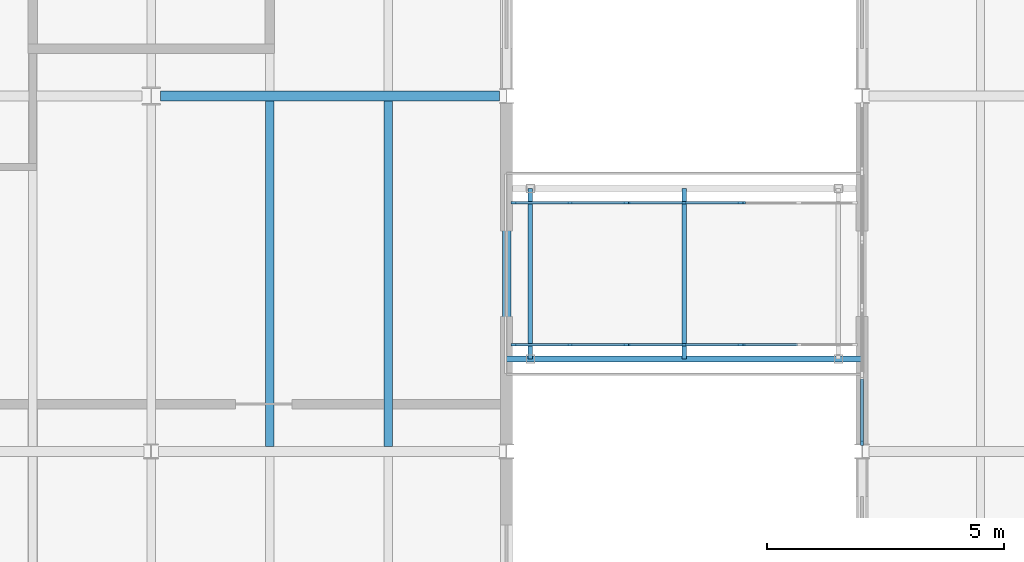
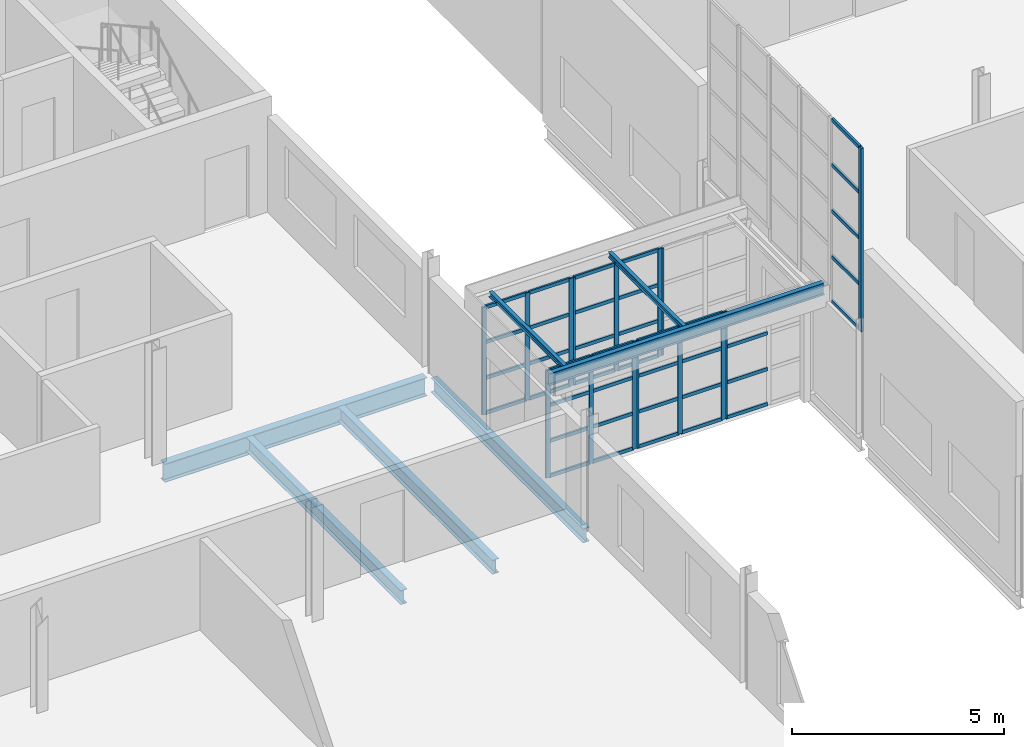
# One storey, part 33 of 198: 57 members, 5 beams, 7 elements without a shape of their own.
"""IFC4 building model written with IfcOpenShell, lengths in metres."""

from ifc_helpers import new_model, si_unit, direction, frame, origin, origin_2d, place, context, subcontext, project, spatial, rectangle, i_section, extrude, material, material_profile, profile_set, type_object, element, aggregate, save


model = new_model("IFC4")

# Units and contexts
model_context = context("Model", 3, precision=1e-05, world=origin(), true_north=direction((0.0, 1.0)))
body_context = subcontext(model_context, "Body", "Model", "MODEL_VIEW")
ifc_project = project(units=[si_unit("LENGTHUNIT", "METRE"), si_unit("AREAUNIT", "SQUARE_METRE"), si_unit("VOLUMEUNIT", "CUBIC_METRE"), si_unit("PLANEANGLEUNIT", "RADIAN"), si_unit("MASSUNIT", "GRAM", prefix="KILO")], contexts=[model_context])

# Site, building, storey
site_placement = place(None, origin())
site = spatial("IfcSite", under=ifc_project, at=site_placement, CompositionType="ELEMENT")
building_placement = place(site_placement, origin())
building = spatial("IfcBuilding", under=site, at=building_placement, Name="Parallax Yard Mobility Hub", CompositionType="ELEMENT")
storey_placement = place(building_placement, frame((0.0, 0.0, 6.60009765625)))
storey = spatial("IfcBuildingStorey", under=building, at=storey_placement, Name="L02", CompositionType="ELEMENT", Elevation=6.60009765625)

# Members
ifc_material_1 = material(Name="Steel ASTM A992", Category="steel")
ifc_material_profile_1 = material_profile(ifc_material_1, i_section(OverallWidth=0.10205078125, OverallDepth=0.153076171875, WebThickness=0.005859375, FlangeThickness=0.007080078125, at=origin_2d()), Name="W150x18")
ifc_profile_set_1 = profile_set([ifc_material_profile_1], Name="Steel ASTM A992")
member_type_1 = type_object("IfcMemberType", Name="Bridge cross rafter W150x18", PredefinedType="RAFTER", material=ifc_profile_set_1)
for number, where, z_axis, x_axis, name in (
    (1, (143.0, 31.952880859375, 3.17236328125), (0.0, 1.0, 0.0), (-1.0, 0.0, 0.0), "Bridge BR3 level L02 cross rafter 1"),
    (2, (146.25, 31.952880859375, 3.17236328125), (0.0, 1.0, 0.0), (-1.0, 0.0, 0.0), "Bridge BR3 level L02 cross rafter 2"),
):
    element("IfcMember", number, at=place(storey_placement, frame(where, z_axis=z_axis, x_axis=x_axis)), inside=storey, type_object=member_type_1, Name=name, PredefinedType="RAFTER", context=body_context, shape_type="SweptSolid", body=[
        extrude(i_section(OverallWidth=0.10205078125, OverallDepth=0.153076171875, WebThickness=0.005859375, FlangeThickness=0.007080078125, at=origin_2d()), origin(), (0.0, 0.0, 1.0), 3.59423828125),
    ])

# Beam
ifc_material_profile_2 = material_profile(ifc_material_1, i_section(OverallWidth=0.126953125, OverallDepth=0.34912109375, WebThickness=0.005859375, FlangeThickness=0.008544921875, at=origin_2d()), Name="W360x33")
ifc_profile_set_2 = profile_set([ifc_material_profile_2], Name="Steel ASTM A992")
beam_type_1 = type_object("IfcBeamType", Name="Bridge roof beam W360x33", PredefinedType="BEAM", material=ifc_profile_set_2)
beam_1_placement = place(storey_placement, frame((142.5, 31.949951171875, 3.074462890625), z_axis=(1.0, 0.0, 0.0), x_axis=(0.0, 1.0, 0.0)))
element("IfcBeam", 3, at=beam_1_placement, inside=storey, type_object=beam_type_1, Name="Bridge BR3 level L02 roof beam at y 31.95", PredefinedType="BEAM", context=body_context, shape_type="SweptSolid", body=[
    extrude(i_section(OverallWidth=0.126953125, OverallDepth=0.34912109375, WebThickness=0.005859375, FlangeThickness=0.008544921875, at=origin_2d()), origin(), (0.0, 0.0, 1.0), 7.5),
])

# Curtain wall, members
ifc_material_2 = material(Name="Thermally broken aluminium curtain wall system", Category="aluminium")
curtain_wall_type_1 = type_object("IfcCurtainWallType", Name="Bridge curtain wall run 50 x 120 frame", PredefinedType="NOTDEFINED", material=ifc_material_2)
curtain_wall_1_placement = place(storey_placement, origin())
curtain_wall_1 = element("IfcCurtainWall", 4, at=curtain_wall_1_placement, inside=storey, type_object=curtain_wall_type_1, Name="Curtain wall run bridge BR3 south side level L02", PredefinedType="NOTDEFINED")
ifc_material_3 = material(Name="Extruded aluminium", Category="aluminium")
ifc_material_profile_3 = material_profile(ifc_material_3, rectangle(XDim=0.050048828125, YDim=0.1201171875, at=origin_2d()), Name="Mullion 50 x 120")
ifc_profile_set_3 = profile_set([ifc_material_profile_3], Name="Extruded aluminium")
member_type_2 = type_object("IfcMemberType", Name="Mullion 50 x 120", PredefinedType="MULLION", material=ifc_profile_set_3)
member_1_placement = place(storey_placement, frame((142.64990234375, 32.25, 0.0), z_axis=(0.0, 0.0, 1.0), x_axis=(0.0, 1.0, 0.0)))
member_1 = element("IfcMember", 5, at=member_1_placement, type_object=member_type_2, Name="CW2 mullion 1", PredefinedType="MULLION", context=body_context, shape_type="SweptSolid", body=[
    extrude(rectangle(XDim=0.050048828125, YDim=0.1201171875, at=origin_2d()), origin(), (0.0, 0.0, 1.0), 3.095947265625),
])
member_2_placement = place(storey_placement, frame((143.833251953125, 32.25, 0.0), z_axis=(0.0, 0.0, 1.0), x_axis=(0.0, 1.0, 0.0)))
member_2 = element("IfcMember", 6, at=member_2_placement, type_object=member_type_2, Name="CW2 mullion 2", PredefinedType="MULLION", context=body_context, shape_type="SweptSolid", body=[
    extrude(rectangle(XDim=0.050048828125, YDim=0.1201171875, at=origin_2d()), origin(), (0.0, 0.0, 1.0), 3.095947265625),
])
member_3_placement = place(storey_placement, frame((145.0166015625, 32.25, 0.0), z_axis=(0.0, 0.0, 1.0), x_axis=(0.0, 1.0, 0.0)))
member_3 = element("IfcMember", 7, at=member_3_placement, type_object=member_type_2, Name="CW2 mullion 3", PredefinedType="MULLION", context=body_context, shape_type="SweptSolid", body=[
    extrude(rectangle(XDim=0.050048828125, YDim=0.1201171875, at=origin_2d()), origin(), (0.0, 0.0, 1.0), 3.095947265625),
])

curtain_wall_2_placement = place(storey_placement, origin())
curtain_wall_2 = element("IfcCurtainWall", 8, at=curtain_wall_2_placement, inside=storey, type_object=curtain_wall_type_1, Name="Curtain wall run bridge BR3 south side level L02", PredefinedType="NOTDEFINED")
member_4_placement = place(storey_placement, frame((145.066650390625, 32.25, 0.0), z_axis=(0.0, 0.0, 1.0), x_axis=(0.0, 1.0, 0.0)))
member_4 = element("IfcMember", 9, at=member_4_placement, type_object=member_type_2, Name="CW2 mullion 1", PredefinedType="MULLION", context=body_context, shape_type="SweptSolid", body=[
    extrude(rectangle(XDim=0.050048828125, YDim=0.1201171875, at=origin_2d()), origin(), (0.0, 0.0, 1.0), 3.095947265625),
])
member_5_placement = place(storey_placement, frame((146.25, 32.25, 0.0), z_axis=(0.0, 0.0, 1.0), x_axis=(0.0, 1.0, 0.0)))
member_5 = element("IfcMember", 10, at=member_5_placement, type_object=member_type_2, Name="CW2 mullion 2", PredefinedType="MULLION", context=body_context, shape_type="SweptSolid", body=[
    extrude(rectangle(XDim=0.050048828125, YDim=0.1201171875, at=origin_2d()), origin(), (0.0, 0.0, 1.0), 3.095947265625),
])
member_6_placement = place(storey_placement, frame((147.433349609375, 32.25, 0.0), z_axis=(0.0, 0.0, 1.0), x_axis=(0.0, 1.0, 0.0)))
member_6 = element("IfcMember", 11, at=member_6_placement, type_object=member_type_2, Name="CW2 mullion 3", PredefinedType="MULLION", context=body_context, shape_type="SweptSolid", body=[
    extrude(rectangle(XDim=0.050048828125, YDim=0.1201171875, at=origin_2d()), origin(), (0.0, 0.0, 1.0), 3.095947265625),
])

# Curtain wall, member
curtain_wall_3_placement = place(storey_placement, origin())
curtain_wall_3 = element("IfcCurtainWall", 12, at=curtain_wall_3_placement, inside=storey, type_object=curtain_wall_type_1, Name="Curtain wall run bridge BR3 south side level L02", PredefinedType="NOTDEFINED")
member_7_placement = place(storey_placement, frame((147.4833984375, 32.25, 0.0), z_axis=(0.0, 0.0, 1.0), x_axis=(0.0, 1.0, 0.0)))
member_7 = element("IfcMember", 13, at=member_7_placement, type_object=member_type_2, Name="CW2 mullion 1", PredefinedType="MULLION", context=body_context, shape_type="SweptSolid", body=[
    extrude(rectangle(XDim=0.050048828125, YDim=0.1201171875, at=origin_2d()), origin(), (0.0, 0.0, 1.0), 3.095947265625),
])

# Curtain wall, members
curtain_wall_4_placement = place(storey_placement, origin())
curtain_wall_4 = element("IfcCurtainWall", 14, at=curtain_wall_4_placement, inside=storey, type_object=curtain_wall_type_1, Name="Curtain wall run bridge BR3 north side level L02", PredefinedType="NOTDEFINED")
member_8_placement = place(storey_placement, frame((142.64990234375, 35.25, 0.0), z_axis=(0.0, 0.0, 1.0), x_axis=(0.0, 1.0, 0.0)))
member_8 = element("IfcMember", 15, at=member_8_placement, type_object=member_type_2, Name="CW2 mullion 1", PredefinedType="MULLION", context=body_context, shape_type="SweptSolid", body=[
    extrude(rectangle(XDim=0.050048828125, YDim=0.1201171875, at=origin_2d()), origin(), (0.0, 0.0, 1.0), 3.095947265625),
])
member_9_placement = place(storey_placement, frame((143.833251953125, 35.25, 0.0), z_axis=(0.0, 0.0, 1.0), x_axis=(0.0, 1.0, 0.0)))
member_9 = element("IfcMember", 16, at=member_9_placement, type_object=member_type_2, Name="CW2 mullion 2", PredefinedType="MULLION", context=body_context, shape_type="SweptSolid", body=[
    extrude(rectangle(XDim=0.050048828125, YDim=0.1201171875, at=origin_2d()), origin(), (0.0, 0.0, 1.0), 3.095947265625),
])
member_10_placement = place(storey_placement, frame((145.0166015625, 35.25, 0.0), z_axis=(0.0, 0.0, 1.0), x_axis=(0.0, 1.0, 0.0)))
member_10 = element("IfcMember", 17, at=member_10_placement, type_object=member_type_2, Name="CW2 mullion 3", PredefinedType="MULLION", context=body_context, shape_type="SweptSolid", body=[
    extrude(rectangle(XDim=0.050048828125, YDim=0.1201171875, at=origin_2d()), origin(), (0.0, 0.0, 1.0), 3.095947265625),
])

curtain_wall_5_placement = place(storey_placement, origin())
curtain_wall_5 = element("IfcCurtainWall", 18, at=curtain_wall_5_placement, inside=storey, type_object=curtain_wall_type_1, Name="Curtain wall run bridge BR3 north side level L02", PredefinedType="NOTDEFINED")
member_11_placement = place(storey_placement, frame((145.066650390625, 35.25, 0.0), z_axis=(0.0, 0.0, 1.0), x_axis=(0.0, 1.0, 0.0)))
member_11 = element("IfcMember", 19, at=member_11_placement, type_object=member_type_2, Name="CW2 mullion 1", PredefinedType="MULLION", context=body_context, shape_type="SweptSolid", body=[
    extrude(rectangle(XDim=0.050048828125, YDim=0.1201171875, at=origin_2d()), origin(), (0.0, 0.0, 1.0), 3.095947265625),
])
member_12_placement = place(storey_placement, frame((146.25, 35.25, 0.0), z_axis=(0.0, 0.0, 1.0), x_axis=(0.0, 1.0, 0.0)))
member_12 = element("IfcMember", 20, at=member_12_placement, type_object=member_type_2, Name="CW2 mullion 2", PredefinedType="MULLION", context=body_context, shape_type="SweptSolid", body=[
    extrude(rectangle(XDim=0.050048828125, YDim=0.1201171875, at=origin_2d()), origin(), (0.0, 0.0, 1.0), 3.095947265625),
])
member_13_placement = place(storey_placement, frame((147.433349609375, 35.25, 0.0), z_axis=(0.0, 0.0, 1.0), x_axis=(0.0, 1.0, 0.0)))
member_13 = element("IfcMember", 21, at=member_13_placement, type_object=member_type_2, Name="CW2 mullion 3", PredefinedType="MULLION", context=body_context, shape_type="SweptSolid", body=[
    extrude(rectangle(XDim=0.050048828125, YDim=0.1201171875, at=origin_2d()), origin(), (0.0, 0.0, 1.0), 3.095947265625),
])

# Curtain wall, member
curtain_wall_6_placement = place(storey_placement, origin())
curtain_wall_6 = element("IfcCurtainWall", 22, at=curtain_wall_6_placement, inside=storey, type_object=curtain_wall_type_1, Name="Curtain wall run bridge BR3 north side level L02", PredefinedType="NOTDEFINED")
member_14_placement = place(storey_placement, frame((147.4833984375, 35.25, 0.0), z_axis=(0.0, 0.0, 1.0), x_axis=(0.0, 1.0, 0.0)))
member_14 = element("IfcMember", 23, at=member_14_placement, type_object=member_type_2, Name="CW2 mullion 1", PredefinedType="MULLION", context=body_context, shape_type="SweptSolid", body=[
    extrude(rectangle(XDim=0.050048828125, YDim=0.1201171875, at=origin_2d()), origin(), (0.0, 0.0, 1.0), 3.095947265625),
])
aggregate(curtain_wall_6, [member_14])

curtain_wall_type_2 = type_object("IfcCurtainWallType", Name="Clerestory glazing run 60 x 120 frame", PredefinedType="NOTDEFINED", material=ifc_material_2)
curtain_wall_7_placement = place(storey_placement, origin())
curtain_wall_7 = element("IfcCurtainWall", 24, at=curtain_wall_7_placement, inside=storey, type_object=curtain_wall_type_2, Name="Clerestory glazing run Bicycle and shared-mobility hall west bay 4 level L02", PredefinedType="NOTDEFINED")
ifc_material_profile_4 = material_profile(ifc_material_3, rectangle(XDim=0.06005859375, YDim=0.1201171875, at=origin_2d()), Name="Mullion 60 x 120")
ifc_profile_set_4 = profile_set([ifc_material_profile_4], Name="Extruded aluminium")
member_type_3 = type_object("IfcMemberType", Name="Mullion 60 x 120", PredefinedType="MULLION", material=ifc_profile_set_4)
member_15_placement = place(storey_placement, frame((150.0, 30.18359375, 2.89990234375), z_axis=(0.0, 0.0, 1.0), x_axis=(-1.0, 0.0, 0.0)))
member_15 = element("IfcMember", 25, at=member_15_placement, type_object=member_type_3, Name="CW4 mullion 1", PredefinedType="MULLION", context=body_context, shape_type="SweptSolid", body=[
    extrude(rectangle(XDim=0.06005859375, YDim=0.1201171875, at=origin_2d()), origin(), (0.0, 0.0, 1.0), 5.292724609375),
])

# Member
ifc_material_profile_5 = material_profile(ifc_material_3, rectangle(XDim=0.050048828125, YDim=0.10009765625, at=origin_2d()), Name="Transom 50 x 100")
ifc_profile_set_5 = profile_set([ifc_material_profile_5], Name="Extruded aluminium")
member_type_4 = type_object("IfcMemberType", Name="Transom 50 x 100", PredefinedType="USERDEFINED", material=ifc_profile_set_5)
member_16_placement = place(storey_placement, frame((142.675048828125, 32.25, 0.02490234375), z_axis=(1.0, 0.0, 0.0), x_axis=(0.0, 1.0, 0.0)))
member_16 = element("IfcMember", 26, at=member_16_placement, type_object=member_type_4, Name="CW2 transom 1.1", ObjectType="TRANSOM", PredefinedType="USERDEFINED", context=body_context, shape_type="SweptSolid", body=[
    extrude(rectangle(XDim=0.050048828125, YDim=0.10009765625, at=origin_2d()), origin(), (0.0, 0.0, 1.0), 1.13330078125),
])

member_17_placement = place(storey_placement, frame((142.675048828125, 32.25, 1.031982421875), z_axis=(1.0, 0.0, 0.0), x_axis=(0.0, 1.0, 0.0)))
member_17 = element("IfcMember", 27, at=member_17_placement, type_object=member_type_4, Name="CW2 transom 1.2", ObjectType="TRANSOM", PredefinedType="USERDEFINED", context=body_context, shape_type="SweptSolid", body=[
    extrude(rectangle(XDim=0.050048828125, YDim=0.10009765625, at=origin_2d()), origin(), (0.0, 0.0, 1.0), 1.13330078125),
])

member_18_placement = place(storey_placement, frame((142.675048828125, 32.25, 2.06396484375), z_axis=(1.0, 0.0, 0.0), x_axis=(0.0, 1.0, 0.0)))
member_18 = element("IfcMember", 28, at=member_18_placement, type_object=member_type_4, Name="CW2 transom 1.3", ObjectType="TRANSOM", PredefinedType="USERDEFINED", context=body_context, shape_type="SweptSolid", body=[
    extrude(rectangle(XDim=0.050048828125, YDim=0.10009765625, at=origin_2d()), origin(), (0.0, 0.0, 1.0), 1.13330078125),
])

member_19_placement = place(storey_placement, frame((142.675048828125, 32.25, 3.07080078125), z_axis=(1.0, 0.0, 0.0), x_axis=(0.0, 1.0, 0.0)))
member_19 = element("IfcMember", 29, at=member_19_placement, type_object=member_type_4, Name="CW2 transom 1.4", ObjectType="TRANSOM", PredefinedType="USERDEFINED", context=body_context, shape_type="SweptSolid", body=[
    extrude(rectangle(XDim=0.050048828125, YDim=0.10009765625, at=origin_2d()), origin(), (0.0, 0.0, 1.0), 1.13330078125),
])

member_20_placement = place(storey_placement, frame((143.8583984375, 32.25, 0.02490234375), z_axis=(1.0, 0.0, 0.0), x_axis=(0.0, 1.0, 0.0)))
member_20 = element("IfcMember", 30, at=member_20_placement, type_object=member_type_4, Name="CW2 transom 2.1", ObjectType="TRANSOM", PredefinedType="USERDEFINED", context=body_context, shape_type="SweptSolid", body=[
    extrude(rectangle(XDim=0.050048828125, YDim=0.10009765625, at=origin_2d()), origin(), (0.0, 0.0, 1.0), 1.13330078125),
])

member_21_placement = place(storey_placement, frame((143.8583984375, 32.25, 1.031982421875), z_axis=(1.0, 0.0, 0.0), x_axis=(0.0, 1.0, 0.0)))
member_21 = element("IfcMember", 31, at=member_21_placement, type_object=member_type_4, Name="CW2 transom 2.2", ObjectType="TRANSOM", PredefinedType="USERDEFINED", context=body_context, shape_type="SweptSolid", body=[
    extrude(rectangle(XDim=0.050048828125, YDim=0.10009765625, at=origin_2d()), origin(), (0.0, 0.0, 1.0), 1.13330078125),
])

member_22_placement = place(storey_placement, frame((143.8583984375, 32.25, 2.06396484375), z_axis=(1.0, 0.0, 0.0), x_axis=(0.0, 1.0, 0.0)))
member_22 = element("IfcMember", 32, at=member_22_placement, type_object=member_type_4, Name="CW2 transom 2.3", ObjectType="TRANSOM", PredefinedType="USERDEFINED", context=body_context, shape_type="SweptSolid", body=[
    extrude(rectangle(XDim=0.050048828125, YDim=0.10009765625, at=origin_2d()), origin(), (0.0, 0.0, 1.0), 1.13330078125),
])

member_23_placement = place(storey_placement, frame((143.8583984375, 32.25, 3.07080078125), z_axis=(1.0, 0.0, 0.0), x_axis=(0.0, 1.0, 0.0)))
member_23 = element("IfcMember", 33, at=member_23_placement, type_object=member_type_4, Name="CW2 transom 2.4", ObjectType="TRANSOM", PredefinedType="USERDEFINED", context=body_context, shape_type="SweptSolid", body=[
    extrude(rectangle(XDim=0.050048828125, YDim=0.10009765625, at=origin_2d()), origin(), (0.0, 0.0, 1.0), 1.13330078125),
])

aggregate(curtain_wall_1, [member_1, member_2, member_3, member_16, member_17, member_18, member_19, member_20, member_21, member_22, member_23])

member_24_placement = place(storey_placement, frame((145.091796875, 32.25, 0.02490234375), z_axis=(1.0, 0.0, 0.0), x_axis=(0.0, 1.0, 0.0)))
member_24 = element("IfcMember", 34, at=member_24_placement, type_object=member_type_4, Name="CW2 transom 1.1", ObjectType="TRANSOM", PredefinedType="USERDEFINED", context=body_context, shape_type="SweptSolid", body=[
    extrude(rectangle(XDim=0.050048828125, YDim=0.10009765625, at=origin_2d()), origin(), (0.0, 0.0, 1.0), 1.13330078125),
])

member_25_placement = place(storey_placement, frame((145.091796875, 32.25, 1.031982421875), z_axis=(1.0, 0.0, 0.0), x_axis=(0.0, 1.0, 0.0)))
member_25 = element("IfcMember", 35, at=member_25_placement, type_object=member_type_4, Name="CW2 transom 1.2", ObjectType="TRANSOM", PredefinedType="USERDEFINED", context=body_context, shape_type="SweptSolid", body=[
    extrude(rectangle(XDim=0.050048828125, YDim=0.10009765625, at=origin_2d()), origin(), (0.0, 0.0, 1.0), 1.13330078125),
])

member_26_placement = place(storey_placement, frame((145.091796875, 32.25, 2.06396484375), z_axis=(1.0, 0.0, 0.0), x_axis=(0.0, 1.0, 0.0)))
member_26 = element("IfcMember", 36, at=member_26_placement, type_object=member_type_4, Name="CW2 transom 1.3", ObjectType="TRANSOM", PredefinedType="USERDEFINED", context=body_context, shape_type="SweptSolid", body=[
    extrude(rectangle(XDim=0.050048828125, YDim=0.10009765625, at=origin_2d()), origin(), (0.0, 0.0, 1.0), 1.13330078125),
])

member_27_placement = place(storey_placement, frame((145.091796875, 32.25, 3.07080078125), z_axis=(1.0, 0.0, 0.0), x_axis=(0.0, 1.0, 0.0)))
member_27 = element("IfcMember", 37, at=member_27_placement, type_object=member_type_4, Name="CW2 transom 1.4", ObjectType="TRANSOM", PredefinedType="USERDEFINED", context=body_context, shape_type="SweptSolid", body=[
    extrude(rectangle(XDim=0.050048828125, YDim=0.10009765625, at=origin_2d()), origin(), (0.0, 0.0, 1.0), 1.13330078125),
])

member_28_placement = place(storey_placement, frame((146.27490234375, 32.25, 0.02490234375), z_axis=(1.0, 0.0, 0.0), x_axis=(0.0, 1.0, 0.0)))
member_28 = element("IfcMember", 38, at=member_28_placement, type_object=member_type_4, Name="CW2 transom 2.1", ObjectType="TRANSOM", PredefinedType="USERDEFINED", context=body_context, shape_type="SweptSolid", body=[
    extrude(rectangle(XDim=0.050048828125, YDim=0.10009765625, at=origin_2d()), origin(), (0.0, 0.0, 1.0), 1.13330078125),
])

member_29_placement = place(storey_placement, frame((146.27490234375, 32.25, 1.031982421875), z_axis=(1.0, 0.0, 0.0), x_axis=(0.0, 1.0, 0.0)))
member_29 = element("IfcMember", 39, at=member_29_placement, type_object=member_type_4, Name="CW2 transom 2.2", ObjectType="TRANSOM", PredefinedType="USERDEFINED", context=body_context, shape_type="SweptSolid", body=[
    extrude(rectangle(XDim=0.050048828125, YDim=0.10009765625, at=origin_2d()), origin(), (0.0, 0.0, 1.0), 1.13330078125),
])

member_30_placement = place(storey_placement, frame((146.27490234375, 32.25, 2.06396484375), z_axis=(1.0, 0.0, 0.0), x_axis=(0.0, 1.0, 0.0)))
member_30 = element("IfcMember", 40, at=member_30_placement, type_object=member_type_4, Name="CW2 transom 2.3", ObjectType="TRANSOM", PredefinedType="USERDEFINED", context=body_context, shape_type="SweptSolid", body=[
    extrude(rectangle(XDim=0.050048828125, YDim=0.10009765625, at=origin_2d()), origin(), (0.0, 0.0, 1.0), 1.13330078125),
])

member_31_placement = place(storey_placement, frame((146.27490234375, 32.25, 3.07080078125), z_axis=(1.0, 0.0, 0.0), x_axis=(0.0, 1.0, 0.0)))
member_31 = element("IfcMember", 41, at=member_31_placement, type_object=member_type_4, Name="CW2 transom 2.4", ObjectType="TRANSOM", PredefinedType="USERDEFINED", context=body_context, shape_type="SweptSolid", body=[
    extrude(rectangle(XDim=0.050048828125, YDim=0.10009765625, at=origin_2d()), origin(), (0.0, 0.0, 1.0), 1.13330078125),
])

aggregate(curtain_wall_2, [member_4, member_5, member_6, member_24, member_25, member_26, member_27, member_28, member_29, member_30, member_31])

member_32_placement = place(storey_placement, frame((147.50830078125, 32.25, 0.02490234375), z_axis=(1.0, 0.0, 0.0), x_axis=(0.0, 1.0, 0.0)))
member_32 = element("IfcMember", 42, at=member_32_placement, type_object=member_type_4, Name="CW2 transom 1.1", ObjectType="TRANSOM", PredefinedType="USERDEFINED", context=body_context, shape_type="SweptSolid", body=[
    extrude(rectangle(XDim=0.050048828125, YDim=0.10009765625, at=origin_2d()), origin(), (0.0, 0.0, 1.0), 1.13330078125),
])

member_33_placement = place(storey_placement, frame((147.50830078125, 32.25, 1.031982421875), z_axis=(1.0, 0.0, 0.0), x_axis=(0.0, 1.0, 0.0)))
member_33 = element("IfcMember", 43, at=member_33_placement, type_object=member_type_4, Name="CW2 transom 1.2", ObjectType="TRANSOM", PredefinedType="USERDEFINED", context=body_context, shape_type="SweptSolid", body=[
    extrude(rectangle(XDim=0.050048828125, YDim=0.10009765625, at=origin_2d()), origin(), (0.0, 0.0, 1.0), 1.13330078125),
])

member_34_placement = place(storey_placement, frame((147.50830078125, 32.25, 2.06396484375), z_axis=(1.0, 0.0, 0.0), x_axis=(0.0, 1.0, 0.0)))
member_34 = element("IfcMember", 44, at=member_34_placement, type_object=member_type_4, Name="CW2 transom 1.3", ObjectType="TRANSOM", PredefinedType="USERDEFINED", context=body_context, shape_type="SweptSolid", body=[
    extrude(rectangle(XDim=0.050048828125, YDim=0.10009765625, at=origin_2d()), origin(), (0.0, 0.0, 1.0), 1.13330078125),
])

aggregate(curtain_wall_3, [member_7, member_32, member_33, member_34])

member_35_placement = place(storey_placement, frame((142.675048828125, 35.25, 0.02490234375), z_axis=(1.0, 0.0, 0.0), x_axis=(0.0, 1.0, 0.0)))
member_35 = element("IfcMember", 45, at=member_35_placement, type_object=member_type_4, Name="CW2 transom 1.1", ObjectType="TRANSOM", PredefinedType="USERDEFINED", context=body_context, shape_type="SweptSolid", body=[
    extrude(rectangle(XDim=0.050048828125, YDim=0.10009765625, at=origin_2d()), origin(), (0.0, 0.0, 1.0), 1.13330078125),
])

member_36_placement = place(storey_placement, frame((142.675048828125, 35.25, 1.031982421875), z_axis=(1.0, 0.0, 0.0), x_axis=(0.0, 1.0, 0.0)))
member_36 = element("IfcMember", 46, at=member_36_placement, type_object=member_type_4, Name="CW2 transom 1.2", ObjectType="TRANSOM", PredefinedType="USERDEFINED", context=body_context, shape_type="SweptSolid", body=[
    extrude(rectangle(XDim=0.050048828125, YDim=0.10009765625, at=origin_2d()), origin(), (0.0, 0.0, 1.0), 1.13330078125),
])

member_37_placement = place(storey_placement, frame((142.675048828125, 35.25, 2.06396484375), z_axis=(1.0, 0.0, 0.0), x_axis=(0.0, 1.0, 0.0)))
member_37 = element("IfcMember", 47, at=member_37_placement, type_object=member_type_4, Name="CW2 transom 1.3", ObjectType="TRANSOM", PredefinedType="USERDEFINED", context=body_context, shape_type="SweptSolid", body=[
    extrude(rectangle(XDim=0.050048828125, YDim=0.10009765625, at=origin_2d()), origin(), (0.0, 0.0, 1.0), 1.13330078125),
])

member_38_placement = place(storey_placement, frame((142.675048828125, 35.25, 3.07080078125), z_axis=(1.0, 0.0, 0.0), x_axis=(0.0, 1.0, 0.0)))
member_38 = element("IfcMember", 48, at=member_38_placement, type_object=member_type_4, Name="CW2 transom 1.4", ObjectType="TRANSOM", PredefinedType="USERDEFINED", context=body_context, shape_type="SweptSolid", body=[
    extrude(rectangle(XDim=0.050048828125, YDim=0.10009765625, at=origin_2d()), origin(), (0.0, 0.0, 1.0), 1.13330078125),
])

member_39_placement = place(storey_placement, frame((143.8583984375, 35.25, 0.02490234375), z_axis=(1.0, 0.0, 0.0), x_axis=(0.0, 1.0, 0.0)))
member_39 = element("IfcMember", 49, at=member_39_placement, type_object=member_type_4, Name="CW2 transom 2.1", ObjectType="TRANSOM", PredefinedType="USERDEFINED", context=body_context, shape_type="SweptSolid", body=[
    extrude(rectangle(XDim=0.050048828125, YDim=0.10009765625, at=origin_2d()), origin(), (0.0, 0.0, 1.0), 1.13330078125),
])

member_40_placement = place(storey_placement, frame((143.8583984375, 35.25, 1.031982421875), z_axis=(1.0, 0.0, 0.0), x_axis=(0.0, 1.0, 0.0)))
member_40 = element("IfcMember", 50, at=member_40_placement, type_object=member_type_4, Name="CW2 transom 2.2", ObjectType="TRANSOM", PredefinedType="USERDEFINED", context=body_context, shape_type="SweptSolid", body=[
    extrude(rectangle(XDim=0.050048828125, YDim=0.10009765625, at=origin_2d()), origin(), (0.0, 0.0, 1.0), 1.13330078125),
])

member_41_placement = place(storey_placement, frame((143.8583984375, 35.25, 2.06396484375), z_axis=(1.0, 0.0, 0.0), x_axis=(0.0, 1.0, 0.0)))
member_41 = element("IfcMember", 51, at=member_41_placement, type_object=member_type_4, Name="CW2 transom 2.3", ObjectType="TRANSOM", PredefinedType="USERDEFINED", context=body_context, shape_type="SweptSolid", body=[
    extrude(rectangle(XDim=0.050048828125, YDim=0.10009765625, at=origin_2d()), origin(), (0.0, 0.0, 1.0), 1.13330078125),
])

member_42_placement = place(storey_placement, frame((143.8583984375, 35.25, 3.07080078125), z_axis=(1.0, 0.0, 0.0), x_axis=(0.0, 1.0, 0.0)))
member_42 = element("IfcMember", 52, at=member_42_placement, type_object=member_type_4, Name="CW2 transom 2.4", ObjectType="TRANSOM", PredefinedType="USERDEFINED", context=body_context, shape_type="SweptSolid", body=[
    extrude(rectangle(XDim=0.050048828125, YDim=0.10009765625, at=origin_2d()), origin(), (0.0, 0.0, 1.0), 1.13330078125),
])

aggregate(curtain_wall_4, [member_8, member_9, member_10, member_35, member_36, member_37, member_38, member_39, member_40, member_41, member_42])

member_43_placement = place(storey_placement, frame((145.091796875, 35.25, 0.02490234375), z_axis=(1.0, 0.0, 0.0), x_axis=(0.0, 1.0, 0.0)))
member_43 = element("IfcMember", 53, at=member_43_placement, type_object=member_type_4, Name="CW2 transom 1.1", ObjectType="TRANSOM", PredefinedType="USERDEFINED", context=body_context, shape_type="SweptSolid", body=[
    extrude(rectangle(XDim=0.050048828125, YDim=0.10009765625, at=origin_2d()), origin(), (0.0, 0.0, 1.0), 1.13330078125),
])

member_44_placement = place(storey_placement, frame((145.091796875, 35.25, 1.031982421875), z_axis=(1.0, 0.0, 0.0), x_axis=(0.0, 1.0, 0.0)))
member_44 = element("IfcMember", 54, at=member_44_placement, type_object=member_type_4, Name="CW2 transom 1.2", ObjectType="TRANSOM", PredefinedType="USERDEFINED", context=body_context, shape_type="SweptSolid", body=[
    extrude(rectangle(XDim=0.050048828125, YDim=0.10009765625, at=origin_2d()), origin(), (0.0, 0.0, 1.0), 1.13330078125),
])

member_45_placement = place(storey_placement, frame((145.091796875, 35.25, 2.06396484375), z_axis=(1.0, 0.0, 0.0), x_axis=(0.0, 1.0, 0.0)))
member_45 = element("IfcMember", 55, at=member_45_placement, type_object=member_type_4, Name="CW2 transom 1.3", ObjectType="TRANSOM", PredefinedType="USERDEFINED", context=body_context, shape_type="SweptSolid", body=[
    extrude(rectangle(XDim=0.050048828125, YDim=0.10009765625, at=origin_2d()), origin(), (0.0, 0.0, 1.0), 1.13330078125),
])

member_46_placement = place(storey_placement, frame((145.091796875, 35.25, 3.07080078125), z_axis=(1.0, 0.0, 0.0), x_axis=(0.0, 1.0, 0.0)))
member_46 = element("IfcMember", 56, at=member_46_placement, type_object=member_type_4, Name="CW2 transom 1.4", ObjectType="TRANSOM", PredefinedType="USERDEFINED", context=body_context, shape_type="SweptSolid", body=[
    extrude(rectangle(XDim=0.050048828125, YDim=0.10009765625, at=origin_2d()), origin(), (0.0, 0.0, 1.0), 1.13330078125),
])

member_47_placement = place(storey_placement, frame((146.27490234375, 35.25, 0.02490234375), z_axis=(1.0, 0.0, 0.0), x_axis=(0.0, 1.0, 0.0)))
member_47 = element("IfcMember", 57, at=member_47_placement, type_object=member_type_4, Name="CW2 transom 2.1", ObjectType="TRANSOM", PredefinedType="USERDEFINED", context=body_context, shape_type="SweptSolid", body=[
    extrude(rectangle(XDim=0.050048828125, YDim=0.10009765625, at=origin_2d()), origin(), (0.0, 0.0, 1.0), 1.13330078125),
])

member_48_placement = place(storey_placement, frame((146.27490234375, 35.25, 1.031982421875), z_axis=(1.0, 0.0, 0.0), x_axis=(0.0, 1.0, 0.0)))
member_48 = element("IfcMember", 58, at=member_48_placement, type_object=member_type_4, Name="CW2 transom 2.2", ObjectType="TRANSOM", PredefinedType="USERDEFINED", context=body_context, shape_type="SweptSolid", body=[
    extrude(rectangle(XDim=0.050048828125, YDim=0.10009765625, at=origin_2d()), origin(), (0.0, 0.0, 1.0), 1.13330078125),
])

member_49_placement = place(storey_placement, frame((146.27490234375, 35.25, 2.06396484375), z_axis=(1.0, 0.0, 0.0), x_axis=(0.0, 1.0, 0.0)))
member_49 = element("IfcMember", 59, at=member_49_placement, type_object=member_type_4, Name="CW2 transom 2.3", ObjectType="TRANSOM", PredefinedType="USERDEFINED", context=body_context, shape_type="SweptSolid", body=[
    extrude(rectangle(XDim=0.050048828125, YDim=0.10009765625, at=origin_2d()), origin(), (0.0, 0.0, 1.0), 1.13330078125),
])

member_50_placement = place(storey_placement, frame((146.27490234375, 35.25, 3.07080078125), z_axis=(1.0, 0.0, 0.0), x_axis=(0.0, 1.0, 0.0)))
member_50 = element("IfcMember", 60, at=member_50_placement, type_object=member_type_4, Name="CW2 transom 2.4", ObjectType="TRANSOM", PredefinedType="USERDEFINED", context=body_context, shape_type="SweptSolid", body=[
    extrude(rectangle(XDim=0.050048828125, YDim=0.10009765625, at=origin_2d()), origin(), (0.0, 0.0, 1.0), 1.13330078125),
])

aggregate(curtain_wall_5, [member_11, member_12, member_13, member_43, member_44, member_45, member_46, member_47, member_48, member_49, member_50])

ifc_material_profile_6 = material_profile(ifc_material_3, rectangle(XDim=0.06005859375, YDim=0.10009765625, at=origin_2d()), Name="Transom 60 x 100")
ifc_profile_set_6 = profile_set([ifc_material_profile_6], Name="Extruded aluminium")
member_type_5 = type_object("IfcMemberType", Name="Transom 60 x 100", PredefinedType="USERDEFINED", material=ifc_profile_set_6)
member_51_placement = place(storey_placement, frame((150.0, 30.21337890625, 2.929931640625), z_axis=(0.0, 1.0, 0.0), x_axis=(-1.0, 0.0, 0.0)))
member_51 = element("IfcMember", 61, at=member_51_placement, type_object=member_type_5, Name="CW4 transom 1.1", ObjectType="TRANSOM", PredefinedType="USERDEFINED", context=body_context, shape_type="SweptSolid", body=[
    extrude(rectangle(XDim=0.06005859375, YDim=0.10009765625, at=origin_2d()), origin(), (0.0, 0.0, 1.0), 1.318603515625),
])

member_52_placement = place(storey_placement, frame((150.0, 30.21337890625, 4.22314453125), z_axis=(0.0, 1.0, 0.0), x_axis=(-1.0, 0.0, 0.0)))
member_52 = element("IfcMember", 62, at=member_52_placement, type_object=member_type_5, Name="CW4 transom 1.2", ObjectType="TRANSOM", PredefinedType="USERDEFINED", context=body_context, shape_type="SweptSolid", body=[
    extrude(rectangle(XDim=0.06005859375, YDim=0.10009765625, at=origin_2d()), origin(), (0.0, 0.0, 1.0), 1.318603515625),
])

member_53_placement = place(storey_placement, frame((150.0, 30.21337890625, 5.546142578125), z_axis=(0.0, 1.0, 0.0), x_axis=(-1.0, 0.0, 0.0)))
member_53 = element("IfcMember", 63, at=member_53_placement, type_object=member_type_5, Name="CW4 transom 1.3", ObjectType="TRANSOM", PredefinedType="USERDEFINED", context=body_context, shape_type="SweptSolid", body=[
    extrude(rectangle(XDim=0.06005859375, YDim=0.10009765625, at=origin_2d()), origin(), (0.0, 0.0, 1.0), 1.318603515625),
])

member_54_placement = place(storey_placement, frame((150.0, 30.21337890625, 6.869384765625), z_axis=(0.0, 1.0, 0.0), x_axis=(-1.0, 0.0, 0.0)))
member_54 = element("IfcMember", 64, at=member_54_placement, type_object=member_type_5, Name="CW4 transom 1.4", ObjectType="TRANSOM", PredefinedType="USERDEFINED", context=body_context, shape_type="SweptSolid", body=[
    extrude(rectangle(XDim=0.06005859375, YDim=0.10009765625, at=origin_2d()), origin(), (0.0, 0.0, 1.0), 1.318603515625),
])

member_55_placement = place(storey_placement, frame((150.0, 30.21337890625, 8.16259765625), z_axis=(0.0, 1.0, 0.0), x_axis=(-1.0, 0.0, 0.0)))
member_55 = element("IfcMember", 65, at=member_55_placement, type_object=member_type_5, Name="CW4 transom 1.5", ObjectType="TRANSOM", PredefinedType="USERDEFINED", context=body_context, shape_type="SweptSolid", body=[
    extrude(rectangle(XDim=0.06005859375, YDim=0.10009765625, at=origin_2d()), origin(), (0.0, 0.0, 1.0), 1.318603515625),
])

aggregate(curtain_wall_7, [member_15, member_51, member_52, member_53, member_54, member_55])

# Beams
ifc_material_profile_7 = material_profile(ifc_material_1, i_section(OverallWidth=0.177978515625, OverallDepth=0.406005859375, WebThickness=0.0078125, FlangeThickness=0.0126953125, FilletRadius=0.01025390625, at=origin_2d()), Name="W410x60")
ifc_profile_set_7 = profile_set([ifc_material_profile_7], Name="Steel ASTM A992")
beam_type_2 = type_object("IfcBeamType", Name="W410x60 secondary beam", PredefinedType="JOIST", material=ifc_profile_set_7)
for number, where, z_axis, x_axis, name in (
    (66, (137.5, 30.1044921875, -0.343017578125), (0.0, 1.0, 0.0), (-1.0, 0.0, 0.0), "Secondary beam B1 level L02, 2.5 m east of line 19 of mobility service centre and workshops, span 4"),
    (67, (140.0, 30.1044921875, -0.343017578125), (0.0, 1.0, 0.0), (-1.0, 0.0, 0.0), "Secondary beam B1 level L02, 5 m east of line 19 of mobility service centre and workshops, span 4"),
):
    element("IfcBeam", number, at=place(storey_placement, frame(where, z_axis=z_axis, x_axis=x_axis)), inside=storey, type_object=beam_type_2, Name=name, PredefinedType="JOIST", context=body_context, shape_type="SweptSolid", body=[
        extrude(i_section(OverallWidth=0.177978515625, OverallDepth=0.406005859375, WebThickness=0.0078125, FlangeThickness=0.0126953125, FilletRadius=0.01025390625, at=origin_2d()), origin(), (0.0, 0.0, 1.0), 7.291015625),
    ])
ifc_material_profile_8 = material_profile(ifc_material_1, i_section(OverallWidth=0.178955078125, OverallDepth=0.408935546875, WebThickness=0.0087890625, FlangeThickness=0.014404296875, FilletRadius=0.01025390625, at=origin_2d()), Name="W410x67")
ifc_profile_set_8 = profile_set([ifc_material_profile_8], Name="Steel ASTM A992")
beam_type_3 = type_object("IfcBeamType", Name="W410x67 edge beam", PredefinedType="SPANDREL", material=ifc_profile_set_8)
beam_2_placement = place(storey_placement, frame((142.5, 30.153564453125, -0.344482421875), z_axis=(0.0, 1.0, 0.0), x_axis=(-1.0, 0.0, 0.0)))
element("IfcBeam", 68, at=beam_2_placement, inside=storey, type_object=beam_type_3, Name="Edge beam SB3 level L02, line 20 of mobility service centre and workshops, span 4", PredefinedType="SPANDREL", context=body_context, shape_type="SweptSolid", body=[
    extrude(i_section(OverallWidth=0.178955078125, OverallDepth=0.408935546875, WebThickness=0.0087890625, FlangeThickness=0.014404296875, FilletRadius=0.01025390625, at=origin_2d()), origin(), (0.0, 0.0, 1.0), 7.1875),
])
ifc_material_profile_9 = material_profile(ifc_material_1, i_section(OverallWidth=0.208984375, OverallDepth=0.532958984375, WebThickness=0.01025390625, FlangeThickness=0.015625, FilletRadius=0.0126953125, at=origin_2d()), Name="W530x92")
ifc_profile_set_9 = profile_set([ifc_material_profile_9], Name="Steel ASTM A992")
beam_type_4 = type_object("IfcBeamType", Name="W530x92 longitudinal beam", PredefinedType="BEAM", material=ifc_profile_set_9)
beam_3_placement = place(storey_placement, frame((135.197998046875, 37.5, -0.406494140625), z_axis=(1.0, 0.0, 0.0), x_axis=(0.0, 1.0, 0.0)))
element("IfcBeam", 69, at=beam_3_placement, inside=storey, type_object=beam_type_4, Name="Longitudinal beam SB6 level L02, line F of mobility service centre and workshops, span 6", PredefinedType="BEAM", context=body_context, shape_type="SweptSolid", body=[
    extrude(i_section(OverallWidth=0.208984375, OverallDepth=0.532958984375, WebThickness=0.01025390625, FlangeThickness=0.015625, FilletRadius=0.0126953125, at=origin_2d()), origin(), (0.0, 0.0, 1.0), 7.1484375),
])

save(model, "model.ifc")
